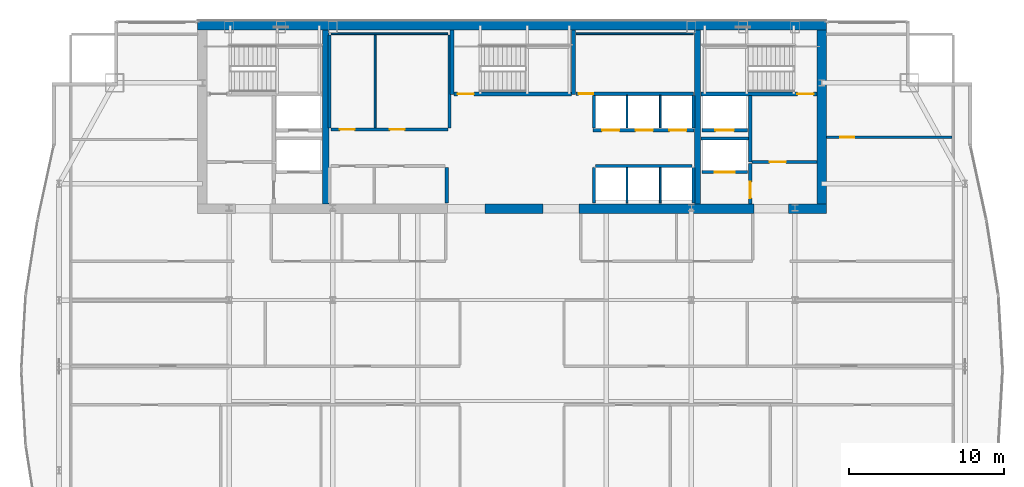
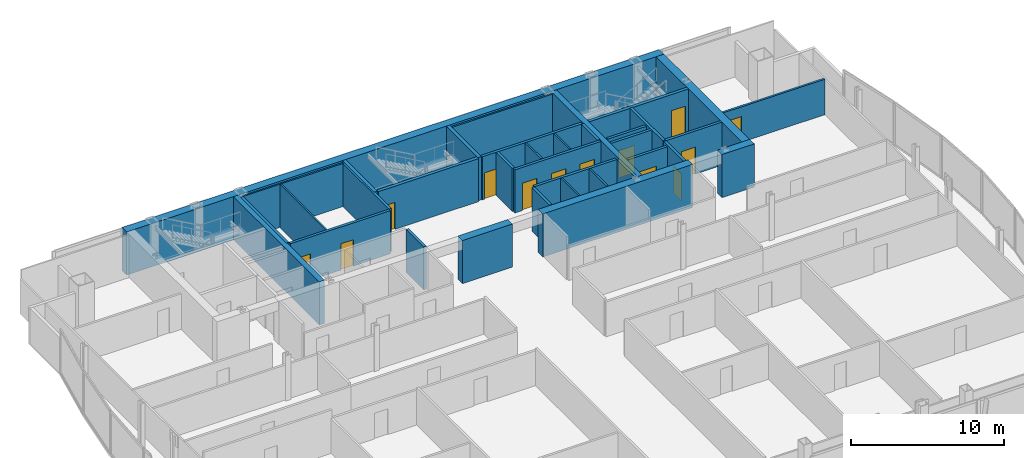
# One storey, part 27 of 30: 36 walls, 13 doors, 13 openings.
"""IFC4 building model written with IfcOpenShell, lengths in metres."""

from ifc_helpers import new_model, si_unit, direction, frame, frame_2d, origin, place, context, subcontext, project, spatial, rectangle, extrude, material, layer, layer_set, type_object, element, fill, save


model = new_model("IFC4")

# Units and contexts
model_context = context("Model", 3, precision=1e-05, world=origin(), true_north=direction((0.0, 1.0)))
body_context = subcontext(model_context, "Body", "Model", "MODEL_VIEW")
ifc_project = project(units=[si_unit("LENGTHUNIT", "METRE"), si_unit("AREAUNIT", "SQUARE_METRE"), si_unit("VOLUMEUNIT", "CUBIC_METRE"), si_unit("PLANEANGLEUNIT", "RADIAN"), si_unit("MASSUNIT", "GRAM", prefix="KILO")], contexts=[model_context])

# Site, building, storey
site_placement = place(None, origin())
site = spatial("IfcSite", under=ifc_project, at=site_placement, CompositionType="ELEMENT")
building_placement = place(site_placement, origin())
building = spatial("IfcBuilding", under=site, at=building_placement, Name="Khoronbel Lancet Exchange", CompositionType="ELEMENT")
storey_placement = place(building_placement, frame((0.0, 0.0, 217.39990234375)))
storey = spatial("IfcBuildingStorey", under=building, at=storey_placement, Name="L55", CompositionType="ELEMENT", Elevation=217.39990234375)

# Walls
ifc_material_1 = material(Name="Concrete C60/75", Category="concrete")
ifc_layer_1 = layer(ifc_material_1, 0.60009765625, Name="Concrete C60/75")
ifc_layer_set_1 = layer_set([ifc_layer_1], Name="Concrete C60/75")
wall_type_1 = type_object("IfcWallType", Name="WL-CW3", PredefinedType="SHEAR", material=ifc_layer_set_1)
wall_1_placement = place(storey_placement, frame((16.199951171875, 53.39990234375, 0.0), z_axis=(0.0, 0.0, 1.0), x_axis=(1.0, 0.0, 0.0)))
element("IfcWall", 1, at=wall_1_placement, inside=storey, type_object=wall_type_1, Name="Level L55 rear core north shear wall", PredefinedType="SHEAR", context=body_context, shape_type="SweptSolid", body=[
    extrude(rectangle(XDim=40.5, YDim=0.60009765625, at=frame_2d((20.25, 0.0))), origin(), (0.0, 0.0, 1.0), 3.440185546875),
])
wall_2_placement = place(storey_placement, frame((56.39990234375, 53.10009765625, 0.0), z_axis=(0.0, 0.0, 1.0), x_axis=(0.0, -1.0, 0.0)))
element("IfcWall", 2, at=wall_2_placement, inside=storey, type_object=wall_type_1, Name="Level L55 rear core east shear wall", PredefinedType="SHEAR", context=body_context, shape_type="SweptSolid", body=[
    extrude(rectangle(XDim=11.2001953125, YDim=0.60009765625, at=frame_2d((5.60009765625, 0.0))), origin(), (0.0, 0.0, 1.0), 3.440185546875),
])
wall_3_placement = place(storey_placement, frame((38.449951171875, 41.60009765625, 0.0), z_axis=(0.0, 0.0, 1.0), x_axis=(-1.0, 0.0, 0.0)))
element("IfcWall", 3, at=wall_3_placement, inside=storey, type_object=wall_type_1, Name="Level L55 rear core south shear wall pier P3", PredefinedType="SHEAR", context=body_context, shape_type="SweptSolid", body=[
    extrude(rectangle(XDim=3.75, YDim=0.60009765625, at=frame_2d((1.875, 0.0))), origin(), (0.0, 0.0, 1.0), 3.440185546875),
])
wall_4_placement = place(storey_placement, frame((52.050048828125, 41.60009765625, 0.0), z_axis=(0.0, 0.0, 1.0), x_axis=(-1.0, 0.0, 0.0)))
element("IfcWall", 4, at=wall_4_placement, inside=storey, type_object=wall_type_1, Name="Level L55 rear core south shear wall pier P4", PredefinedType="SHEAR", context=body_context, shape_type="SweptSolid", body=[
    extrude(rectangle(XDim=11.300048828125, YDim=0.60009765625, at=frame_2d((5.64990234375, 0.0))), origin(), (0.0, 0.0, 1.0), 3.440185546875),
])
wall_5_placement = place(storey_placement, frame((56.699951171875, 41.60009765625, 0.0), z_axis=(0.0, 0.0, 1.0), x_axis=(-1.0, 0.0, 0.0)))
element("IfcWall", 5, at=wall_5_placement, inside=storey, type_object=wall_type_1, Name="Level L55 rear core south shear wall pier P5", PredefinedType="SHEAR", context=body_context, shape_type="SweptSolid", body=[
    extrude(rectangle(XDim=2.449951171875, YDim=0.60009765625, at=frame_2d((1.22509765625, 0.0))), origin(), (0.0, 0.0, 1.0), 3.440185546875),
])

# Wall, opening, door
ifc_material_2 = material(Name="Acoustic Metal-Stud & Mineral-Wool Gypsum Partition 120 mm", Category="gypsum")
ifc_layer_2 = layer(ifc_material_2, 0.1201171875, Name="Acoustic Metal-Stud & Mineral-Wool Gypsum Partition 120 mm")
ifc_layer_set_2 = layer_set([ifc_layer_2], Name="Acoustic Metal-Stud & Mineral-Wool Gypsum Partition 120 mm")
wall_type_2 = type_object("IfcWallType", Name="WL-PRT120", PredefinedType="PARTITIONING", material=ifc_layer_set_2)
wall_6_placement = place(storey_placement, frame((56.699951171875, 46.199951171875, 0.0), z_axis=(0.0, 0.0, 1.0), x_axis=(1.0, 0.0, 0.0)))
wall_6 = element("IfcWall", 6, at=wall_6_placement, inside=storey, type_object=wall_type_2, Name="Level L55 interior partition PW-NE-H", PredefinedType="PARTITIONING", context=body_context, shape_type="SweptSolid", body=[
    extrude(rectangle(XDim=8.10498046875, YDim=0.14990234375, at=frame_2d((4.052490234375, 0.0))), origin(), (0.0, 0.0, 1.0), 2.830078125),
])
opening_1_placement = place(wall_6_placement, frame((0.89990234375, 0.0, 0.0)))
opening_1 = element("IfcOpeningElement", 7, at=opening_1_placement, cuts=wall_6, Name="Opening D5", PredefinedType="OPENING", context=body_context, shape_type="SweptSolid", body=[
    extrude(rectangle(XDim=0.89990234375, YDim=2.050048828125, at=frame_2d((0.449951171875, 1.02490234375))), frame((0.0, 0.0849609375, 0.0), z_axis=(0.0, -1.0, 0.0), x_axis=(1.0, 0.0, 0.0)), (0.0, 0.0, 1.0), 0.169921875),
])
ifc_material_3 = material(Name="Acoustic Timber Pantry & Support Door", Category="wood")
door_type_1 = type_object("IfcDoorType", Name="DR-D5", OperationType="NOTDEFINED", PredefinedType="DOOR", material=ifc_material_3)
door_1_placement = place(opening_1_placement, origin())
door_1 = element("IfcDoor", 8, at=door_1_placement, inside=storey, type_object=door_type_1, Name="NE north room door L55-1", OperationType="SINGLE_SWING_RIGHT", OverallHeight=2.050048828125, OverallWidth=0.89990234375, PredefinedType="DOOR", context=body_context, shape_type="SweptSolid", body=[
    extrude(rectangle(XDim=0.89990234375, YDim=2.050048828125, at=frame_2d((0.449951171875, 1.02490234375))), frame((0.0, 0.02490234375, 0.0), z_axis=(0.0, -1.0, 0.0), x_axis=(1.0, 0.0, 0.0)), (0.0, 0.0, 1.0), 0.050048828125),
])
fill(opening_1, door_1)

# Walls
ifc_material_4 = material(Name="Fire-Rated Metal-Stud & Mineral-Wool Gypsum Partition 120 mm", Category="gypsum")
ifc_layer_3 = layer(ifc_material_4, 0.1201171875, Name="Fire-Rated Metal-Stud & Mineral-Wool Gypsum Partition 120 mm")
ifc_layer_set_3 = layer_set([ifc_layer_3], Name="Fire-Rated Metal-Stud & Mineral-Wool Gypsum Partition 120 mm")
wall_type_3 = type_object("IfcWallType", Name="WL-PRT120F", PredefinedType="PARTITIONING", material=ifc_layer_set_3)
wall_7_placement = place(storey_placement, frame((24.804931640625, 52.860107421875, 0.0), z_axis=(0.0, 0.0, 1.0), x_axis=(1.0, 0.0, 0.0)))
element("IfcWall", 9, at=wall_7_placement, inside=storey, type_object=wall_type_3, Name="Level L55 interior partition CW-PL-RN", PredefinedType="PARTITIONING", context=body_context, shape_type="SweptSolid", body=[
    extrude(rectangle(XDim=7.510009765625, YDim=0.1201171875, at=frame_2d((3.7548828125, 0.0))), origin(), (0.0, 0.0, 1.0), 3.440185546875),
])
wall_8_placement = place(storey_placement, frame((27.633544921875, 46.804931640625, 0.0), z_axis=(0.0, 0.0, 1.0), x_axis=(0.0, 1.0, 0.0)))
element("IfcWall", 10, at=wall_8_placement, inside=storey, type_object=wall_type_3, Name="Level L55 interior partition CW-PL-RS1", PredefinedType="PARTITIONING", context=body_context, shape_type="SweptSolid", body=[
    extrude(rectangle(XDim=5.989990234375, YDim=0.1201171875, at=frame_2d((2.9951171875, 0.0))), origin(), (0.0, 0.0, 1.0), 3.440185546875),
])
for number, where, z_axis, x_axis, name in (
    (11, (43.860107421875, 46.800048828125, 0.0), (0.0, 0.0, 1.0), (0.0, 1.0, 0.0), "Level L55 interior partition CW-PH-D1"),
    (12, (46.0, 46.800048828125, 0.0), (0.0, 0.0, 1.0), (0.0, 1.0, 0.0), "Level L55 interior partition CW-PH-D2"),
):
    element("IfcWall", number, at=place(storey_placement, frame(where, z_axis=z_axis, x_axis=x_axis)), inside=storey, type_object=wall_type_3, Name=name, PredefinedType="PARTITIONING", context=body_context, shape_type="SweptSolid", body=[
        extrude(rectangle(XDim=2.094970703125, YDim=0.1201171875, at=frame_2d((1.04736328125, 0.0))), origin(), (0.0, 0.0, 1.0), 3.440185546875),
    ])
for number, where, z_axis, x_axis, name in (
    (13, (43.860107421875, 41.949951171875, 0.0), (0.0, 0.0, 1.0), (0.0, 1.0, 0.0), "Level L55 interior partition CW-PX-D1"),
    (14, (46.0, 41.949951171875, 0.0), (0.0, 0.0, 1.0), (0.0, 1.0, 0.0), "Level L55 interior partition CW-PX-D2"),
):
    element("IfcWall", number, at=place(storey_placement, frame(where, z_axis=z_axis, x_axis=x_axis)), inside=storey, type_object=wall_type_3, Name=name, PredefinedType="PARTITIONING", context=body_context, shape_type="SweptSolid", body=[
        extrude(rectangle(XDim=2.295166015625, YDim=0.1201171875, at=frame_2d((1.1474609375, 0.0))), origin(), (0.0, 0.0, 1.0), 3.440185546875),
    ])
wall_9_placement = place(storey_placement, frame((40.580078125, 52.860107421875, 0.0), z_axis=(0.0, 0.0, 1.0), x_axis=(1.0, 0.0, 0.0)))
element("IfcWall", 15, at=wall_9_placement, inside=storey, type_object=wall_type_3, Name="Level L55 interior partition CW-SUP-NE-N", PredefinedType="PARTITIONING", context=body_context, shape_type="SweptSolid", body=[
    extrude(rectangle(XDim=7.559814453125, YDim=0.1201171875, at=frame_2d((3.77978515625, 0.0))), origin(), (0.0, 0.0, 1.0), 3.440185546875),
])

# Wall, opening, door
ifc_material_5 = material(Name="Autoclaved Aerated Concrete Blockwork 200 mm", Category="masonry")
ifc_layer_4 = layer(ifc_material_5, 0.199951171875, Name="Autoclaved Aerated Concrete Blockwork 200 mm")
ifc_layer_set_4 = layer_set([ifc_layer_4], Name="Autoclaved Aerated Concrete Blockwork 200 mm")
wall_type_4 = type_object("IfcWallType", Name="WL-PRT200", PredefinedType="PARTITIONING", material=ifc_layer_set_4)
wall_10_placement = place(storey_placement, frame((51.610107421875, 43.949951171875, 0.0), z_axis=(0.0, 0.0, 1.0), x_axis=(-1.0, 0.0, 0.0)))
wall_10 = element("IfcWall", 16, at=wall_10_placement, inside=storey, type_object=wall_type_4, Name="Level L55 elevator hoistway landing front wall SVLE", PredefinedType="PARTITIONING", context=body_context, shape_type="SweptSolid", body=[
    extrude(rectangle(XDim=2.920166015625, YDim=0.199951171875, at=frame_2d((1.4599609375, 0.0))), origin(), (0.0, 0.0, 1.0), 3.440185546875),
])
opening_2_placement = place(wall_10_placement, frame((0.81005859375, 0.0, 0.0)))
opening_2 = element("IfcOpeningElement", 17, at=opening_2_placement, cuts=wall_10, Name="Opening LD-SVL2", PredefinedType="OPENING", context=body_context, shape_type="SweptSolid", body=[
    extrude(rectangle(XDim=1.300048828125, YDim=2.179931640625, at=frame_2d((0.64990234375, 1.08984375))), frame((0.0, 0.10986328125, 0.0), z_axis=(0.0, -1.0, 0.0), x_axis=(1.0, 0.0, 0.0)), (0.0, 0.0, 1.0), 0.219970703125),
])
ifc_material_6 = material(Name="Heavy-Duty Bi-Parting Goods Lift Landing Door", Category="steel")
door_type_2 = type_object("IfcDoorType", Name="DR-LD-SVL", OperationType="NOTDEFINED", PredefinedType="DOOR", material=ifc_material_6)
door_2_placement = place(opening_2_placement, origin())
door_2 = element("IfcDoor", 18, at=door_2_placement, inside=storey, type_object=door_type_2, Name="Elevator landing sliding door LD-SVL2 L55", OperationType="SLIDING_TO_LEFT", OverallHeight=2.179931640625, OverallWidth=1.300048828125, PredefinedType="DOOR", context=body_context, shape_type="SweptSolid", body=[
    extrude(rectangle(XDim=1.300048828125, YDim=2.179931640625, at=frame_2d((0.64990234375, 1.08984375))), frame((0.0, 0.02490234375, 0.0), z_axis=(0.0, -1.0, 0.0), x_axis=(1.0, 0.0, 0.0)), (0.0, 0.0, 1.0), 0.050048828125),
])
fill(opening_2, door_2)

wall_11_placement = place(storey_placement, frame((51.610107421875, 46.64990234375, 0.0), z_axis=(0.0, 0.0, 1.0), x_axis=(-1.0, 0.0, 0.0)))
wall_11 = element("IfcWall", 19, at=wall_11_placement, inside=storey, type_object=wall_type_4, Name="Level L55 elevator hoistway landing front wall FFLE", PredefinedType="PARTITIONING", context=body_context, shape_type="SweptSolid", body=[
    extrude(rectangle(XDim=2.920166015625, YDim=0.199951171875, at=frame_2d((1.4599609375, 0.0))), origin(), (0.0, 0.0, 1.0), 3.440185546875),
])
opening_3_placement = place(wall_11_placement, frame((0.860107421875, 0.0, 0.0)))
opening_3 = element("IfcOpeningElement", 20, at=opening_3_placement, cuts=wall_11, Name="Opening LD-FFL2", PredefinedType="OPENING", context=body_context, shape_type="SweptSolid", body=[
    extrude(rectangle(XDim=1.199951171875, YDim=2.179931640625, at=frame_2d((0.60009765625, 1.08984375))), frame((0.0, 0.10986328125, 0.0), z_axis=(0.0, -1.0, 0.0), x_axis=(1.0, 0.0, 0.0)), (0.0, 0.0, 1.0), 0.219970703125),
])
ifc_material_7 = material(Name="Fire-Rated Stainless Bi-Parting Firefighting Lift Door", Category="steel")
door_type_3 = type_object("IfcDoorType", Name="DR-LD-FFL", OperationType="NOTDEFINED", PredefinedType="DOOR", material=ifc_material_7)
door_3_placement = place(opening_3_placement, origin())
door_3 = element("IfcDoor", 21, at=door_3_placement, inside=storey, type_object=door_type_3, Name="Elevator landing sliding door LD-FFL2 L55", OperationType="SLIDING_TO_LEFT", OverallHeight=2.179931640625, OverallWidth=1.199951171875, PredefinedType="DOOR", context=body_context, shape_type="SweptSolid", body=[
    extrude(rectangle(XDim=1.199951171875, YDim=2.179931640625, at=frame_2d((0.60009765625, 1.08984375))), frame((0.0, 0.02490234375, 0.0), z_axis=(0.0, -1.0, 0.0), x_axis=(1.0, 0.0, 0.0)), (0.0, 0.0, 1.0), 0.050048828125),
])
fill(opening_3, door_3)

# Wall, openings, doors
wall_12_placement = place(storey_placement, frame((48.159912109375, 46.64990234375, 0.0), z_axis=(0.0, 0.0, 1.0), x_axis=(-1.0, 0.0, 0.0)))
wall_12 = element("IfcWall", 22, at=wall_12_placement, inside=storey, type_object=wall_type_4, Name="Level L55 elevator hoistway landing front wall PHE", PredefinedType="PARTITIONING", context=body_context, shape_type="SweptSolid", body=[
    extrude(rectangle(XDim=6.47998046875, YDim=0.199951171875, at=frame_2d((3.239990234375, 0.0))), origin(), (0.0, 0.0, 1.0), 3.440185546875),
])
opening_4_placement = place(wall_12_placement, frame((4.800048828125, 0.0, 0.0)))
opening_4 = element("IfcOpeningElement", 23, at=opening_4_placement, cuts=wall_12, Name="Opening LD-PH1", PredefinedType="OPENING", context=body_context, shape_type="SweptSolid", body=[
    extrude(rectangle(XDim=1.10009765625, YDim=2.179931640625, at=frame_2d((0.550048828125, 1.08984375))), frame((0.0, 0.10986328125, 0.0), z_axis=(0.0, -1.0, 0.0), x_axis=(1.0, 0.0, 0.0)), (0.0, 0.0, 1.0), 0.219970703125),
])
opening_5_placement = place(wall_12_placement, frame((2.639892578125, 0.0, 0.0)))
opening_5 = element("IfcOpeningElement", 24, at=opening_5_placement, cuts=wall_12, Name="Opening LD-PH2", PredefinedType="OPENING", context=body_context, shape_type="SweptSolid", body=[
    extrude(rectangle(XDim=1.10009765625, YDim=2.179931640625, at=frame_2d((0.550048828125, 1.08984375))), frame((0.0, 0.10986328125, 0.0), z_axis=(0.0, -1.0, 0.0), x_axis=(1.0, 0.0, 0.0)), (0.0, 0.0, 1.0), 0.219970703125),
])
opening_6_placement = place(wall_12_placement, frame((0.47998046875, 0.0, 0.0)))
opening_6 = element("IfcOpeningElement", 25, at=opening_6_placement, cuts=wall_12, Name="Opening LD-PH3", PredefinedType="OPENING", context=body_context, shape_type="SweptSolid", body=[
    extrude(rectangle(XDim=1.10009765625, YDim=2.179931640625, at=frame_2d((0.550048828125, 1.08984375))), frame((0.0, 0.10986328125, 0.0), z_axis=(0.0, -1.0, 0.0), x_axis=(1.0, 0.0, 0.0)), (0.0, 0.0, 1.0), 0.219970703125),
])
ifc_material_8 = material(Name="Brushed Bronze Bi-Parting Elevator Landing Door", Category="steel")
door_type_4 = type_object("IfcDoorType", Name="DR-LD-PAX", OperationType="NOTDEFINED", PredefinedType="DOOR", material=ifc_material_8)
door_4_placement = place(opening_4_placement, origin())
door_4 = element("IfcDoor", 26, at=door_4_placement, inside=storey, type_object=door_type_4, Name="Elevator landing sliding door LD-PH1 L55", OperationType="SLIDING_TO_LEFT", OverallHeight=2.179931640625, OverallWidth=1.10009765625, PredefinedType="DOOR", context=body_context, shape_type="SweptSolid", body=[
    extrude(rectangle(XDim=1.10009765625, YDim=2.179931640625, at=frame_2d((0.550048828125, 1.08984375))), frame((0.0, 0.02490234375, 0.0), z_axis=(0.0, -1.0, 0.0), x_axis=(1.0, 0.0, 0.0)), (0.0, 0.0, 1.0), 0.050048828125),
])
fill(opening_4, door_4)
door_5_placement = place(opening_5_placement, origin())
door_5 = element("IfcDoor", 27, at=door_5_placement, inside=storey, type_object=door_type_4, Name="Elevator landing sliding door LD-PH2 L55", OperationType="SLIDING_TO_LEFT", OverallHeight=2.179931640625, OverallWidth=1.10009765625, PredefinedType="DOOR", context=body_context, shape_type="SweptSolid", body=[
    extrude(rectangle(XDim=1.10009765625, YDim=2.179931640625, at=frame_2d((0.550048828125, 1.08984375))), frame((0.0, 0.02490234375, 0.0), z_axis=(0.0, -1.0, 0.0), x_axis=(1.0, 0.0, 0.0)), (0.0, 0.0, 1.0), 0.050048828125),
])
fill(opening_5, door_5)
door_6_placement = place(opening_6_placement, origin())
door_6 = element("IfcDoor", 28, at=door_6_placement, inside=storey, type_object=door_type_4, Name="Elevator landing sliding door LD-PH3 L55", OperationType="SLIDING_TO_LEFT", OverallHeight=2.179931640625, OverallWidth=1.10009765625, PredefinedType="DOOR", context=body_context, shape_type="SweptSolid", body=[
    extrude(rectangle(XDim=1.10009765625, YDim=2.179931640625, at=frame_2d((0.550048828125, 1.08984375))), frame((0.0, 0.02490234375, 0.0), z_axis=(0.0, -1.0, 0.0), x_axis=(1.0, 0.0, 0.0)), (0.0, 0.0, 1.0), 0.050048828125),
])
fill(opening_6, door_6)

# Wall
wall_13_placement = place(storey_placement, frame((51.800048828125, 44.60009765625, 0.0), z_axis=(0.0, 0.0, 1.0), x_axis=(0.0, 1.0, 0.0)))
element("IfcWall", 29, at=wall_13_placement, inside=storey, type_object=wall_type_4, Name="Level L55 interior partition CW-FFLE-W", PredefinedType="PARTITIONING", context=body_context, shape_type="SweptSolid", body=[
    extrude(rectangle(XDim=4.2998046875, YDim=0.199951171875, at=frame_2d((2.14990234375, 0.0))), origin(), (0.0, 0.0, 1.0), 3.440185546875),
])

# Wall, opening, door
wall_14_placement = place(storey_placement, frame((51.89990234375, 44.60009765625, 0.0), z_axis=(0.0, 0.0, 1.0), x_axis=(1.0, 0.0, 0.0)))
wall_14 = element("IfcWall", 30, at=wall_14_placement, inside=storey, type_object=wall_type_4, Name="Level L55 interior partition CW-FFLE-S", PredefinedType="PARTITIONING", context=body_context, shape_type="SweptSolid", body=[
    extrude(rectangle(XDim=4.2001953125, YDim=0.199951171875, at=frame_2d((2.10009765625, 0.0))), origin(), (0.0, 0.0, 1.0), 3.440185546875),
])
opening_7_placement = place(wall_14_placement, frame((1.14990234375, 0.0, 0.0)))
opening_7 = element("IfcOpeningElement", 31, at=opening_7_placement, cuts=wall_14, Name="Opening FD1", PredefinedType="OPENING", context=body_context, shape_type="SweptSolid", body=[
    extrude(rectangle(XDim=1.050048828125, YDim=2.14990234375, at=frame_2d((0.52490234375, 1.074951171875))), frame((0.0, 0.10986328125, 0.0), z_axis=(0.0, -1.0, 0.0), x_axis=(1.0, 0.0, 0.0)), (0.0, 0.0, 1.0), 0.219970703125),
])
ifc_material_9 = material(Name="Fire-Rated Painted Steel Door Assembly", Category="steel")
door_type_5 = type_object("IfcDoorType", Name="DR-FD1", OperationType="NOTDEFINED", PredefinedType="DOOR", material=ifc_material_9)
door_7_placement = place(opening_7_placement, origin())
door_7 = element("IfcDoor", 32, at=door_7_placement, inside=storey, type_object=door_type_5, Name="East firefighting lobby FD90S door L55-1", OperationType="SINGLE_SWING_LEFT", OverallHeight=2.14990234375, OverallWidth=1.050048828125, PredefinedType="DOOR", context=body_context, shape_type="SweptSolid", body=[
    extrude(rectangle(XDim=1.050048828125, YDim=2.14990234375, at=frame_2d((0.52490234375, 1.074951171875))), frame((0.0, 0.02490234375, 0.0), z_axis=(0.0, -1.0, 0.0), x_axis=(1.0, 0.0, 0.0)), (0.0, 0.0, 1.0), 0.050048828125),
])
fill(opening_7, door_7)

# Wall
wall_15_placement = place(storey_placement, frame((48.6298828125, 46.1201171875, 0.0), z_axis=(0.0, 0.0, 1.0), x_axis=(1.0, 0.0, 0.0)))
element("IfcWall", 33, at=wall_15_placement, inside=storey, type_object=wall_type_4, Name="Level L55 interior partition CW-FFL2-S", PredefinedType="PARTITIONING", context=body_context, shape_type="SweptSolid", body=[
    extrude(rectangle(XDim=3.070068359375, YDim=0.199951171875, at=frame_2d((1.53515625, 0.0))), origin(), (0.0, 0.0, 1.0), 3.440185546875),
])

# Wall, opening, door
wall_16_placement = place(storey_placement, frame((51.800048828125, 41.89990234375, 0.0), z_axis=(0.0, 0.0, 1.0), x_axis=(0.0, 1.0, 0.0)))
wall_16 = element("IfcWall", 34, at=wall_16_placement, inside=storey, type_object=wall_type_4, Name="Level L55 interior partition CW-SVLE-E", PredefinedType="PARTITIONING", context=body_context, shape_type="SweptSolid", body=[
    extrude(rectangle(XDim=2.59521484375, YDim=0.199951171875, at=frame_2d((1.297607421875, 0.0))), origin(), (0.0, 0.0, 1.0), 3.440185546875),
])
opening_8_placement = place(wall_16_placement, frame((0.3798828125, 0.0, 0.0)))
opening_8 = element("IfcOpeningElement", 35, at=opening_8_placement, cuts=wall_16, Name="Opening FD1", PredefinedType="OPENING", context=body_context, shape_type="SweptSolid", body=[
    extrude(rectangle(XDim=1.050048828125, YDim=2.14990234375, at=frame_2d((0.52490234375, 1.074951171875))), frame((0.0, 0.10986328125, 0.0), z_axis=(0.0, -1.0, 0.0), x_axis=(1.0, 0.0, 0.0)), (0.0, 0.0, 1.0), 0.219970703125),
])
door_8_placement = place(opening_8_placement, origin())
door_8 = element("IfcDoor", 36, at=door_8_placement, inside=storey, type_object=door_type_5, Name="East service lift lobby door L55-1", OperationType="SINGLE_SWING_RIGHT", OverallHeight=2.14990234375, OverallWidth=1.050048828125, PredefinedType="DOOR", context=body_context, shape_type="SweptSolid", body=[
    extrude(rectangle(XDim=1.050048828125, YDim=2.14990234375, at=frame_2d((0.52490234375, 1.074951171875))), frame((0.0, 0.02490234375, 0.0), z_axis=(0.0, -1.0, 0.0), x_axis=(1.0, 0.0, 0.0)), (0.0, 0.0, 1.0), 0.050048828125),
])
fill(opening_8, door_8)

# Walls
for number, where, z_axis, x_axis, name in (
    (37, (24.699951171875, 46.804931640625, 0.0), (0.0, 0.0, 1.0), (0.0, 1.0, 0.0), "Level L55 interior partition CW-PL-RW"),
    (38, (32.419921875, 46.804931640625, 0.0), (0.0, 0.0, 1.0), (0.0, 1.0, 0.0), "Level L55 interior partition CW-PL-RE"),
):
    element("IfcWall", number, at=place(storey_placement, frame(where, z_axis=z_axis, x_axis=x_axis)), inside=storey, type_object=wall_type_4, Name=name, PredefinedType="PARTITIONING", context=body_context, shape_type="SweptSolid", body=[
        extrude(rectangle(XDim=5.989990234375, YDim=0.199951171875, at=frame_2d((2.9951171875, 0.0))), origin(), (0.0, 0.0, 1.0), 3.440185546875),
    ])

# Wall, openings, doors
wall_17_placement = place(storey_placement, frame((24.804931640625, 46.699951171875, 0.0), z_axis=(0.0, 0.0, 1.0), x_axis=(1.0, 0.0, 0.0)))
wall_17 = element("IfcWall", 39, at=wall_17_placement, inside=storey, type_object=wall_type_4, Name="Level L55 interior partition CW-PL-RF", PredefinedType="PARTITIONING", context=body_context, shape_type="SweptSolid", body=[
    extrude(rectangle(XDim=7.510009765625, YDim=0.199951171875, at=frame_2d((3.7548828125, 0.0))), origin(), (0.0, 0.0, 1.0), 3.440185546875),
])
opening_9_placement = place(wall_17_placement, frame((0.550048828125, 0.0, 0.0)))
opening_9 = element("IfcOpeningElement", 40, at=opening_9_placement, cuts=wall_17, Name="Opening FD3", PredefinedType="OPENING", context=body_context, shape_type="SweptSolid", body=[
    extrude(rectangle(XDim=0.949951171875, YDim=2.10009765625, at=frame_2d((0.47509765625, 1.050048828125))), frame((0.0, 0.10986328125, 0.0), z_axis=(0.0, -1.0, 0.0), x_axis=(1.0, 0.0, 0.0)), (0.0, 0.0, 1.0), 0.219970703125),
])
opening_10_placement = place(wall_17_placement, frame((3.78369140625, 0.0, 0.0)))
opening_10 = element("IfcOpeningElement", 41, at=opening_10_placement, cuts=wall_17, Name="Opening FD3", PredefinedType="OPENING", context=body_context, shape_type="SweptSolid", body=[
    extrude(rectangle(XDim=0.949951171875, YDim=2.10009765625, at=frame_2d((0.47509765625, 1.050048828125))), frame((0.0, 0.10986328125, 0.0), z_axis=(0.0, -1.0, 0.0), x_axis=(1.0, 0.0, 0.0)), (0.0, 0.0, 1.0), 0.219970703125),
])
ifc_material_10 = material(Name="Fire-Rated Steel Plant & Riser Door Assembly", Category="steel")
door_type_6 = type_object("IfcDoorType", Name="DR-FD3", OperationType="NOTDEFINED", PredefinedType="DOOR", material=ifc_material_10)
door_9_placement = place(opening_9_placement, origin())
door_9 = element("IfcDoor", 42, at=door_9_placement, inside=storey, type_object=door_type_6, Name="Reclaimed PL A door L55-1", OperationType="SINGLE_SWING_LEFT", OverallHeight=2.10009765625, OverallWidth=0.949951171875, PredefinedType="DOOR", context=body_context, shape_type="SweptSolid", body=[
    extrude(rectangle(XDim=0.949951171875, YDim=2.10009765625, at=frame_2d((0.47509765625, 1.050048828125))), frame((0.0, 0.02490234375, 0.0), z_axis=(0.0, -1.0, 0.0), x_axis=(1.0, 0.0, 0.0)), (0.0, 0.0, 1.0), 0.050048828125),
])
fill(opening_9, door_9)
door_10_placement = place(opening_10_placement, origin())
door_10 = element("IfcDoor", 43, at=door_10_placement, inside=storey, type_object=door_type_6, Name="Reclaimed PL B door L55-2", OperationType="SINGLE_SWING_RIGHT", OverallHeight=2.10009765625, OverallWidth=0.949951171875, PredefinedType="DOOR", context=body_context, shape_type="SweptSolid", body=[
    extrude(rectangle(XDim=0.949951171875, YDim=2.10009765625, at=frame_2d((0.47509765625, 1.050048828125))), frame((0.0, 0.02490234375, 0.0), z_axis=(0.0, -1.0, 0.0), x_axis=(1.0, 0.0, 0.0)), (0.0, 0.0, 1.0), 0.050048828125),
])
fill(opening_10, door_10)

# Walls
wall_18_placement = place(storey_placement, frame((32.25, 41.949951171875, 0.0), z_axis=(0.0, 0.0, 1.0), x_axis=(0.0, 1.0, 0.0)))
element("IfcWall", 44, at=wall_18_placement, inside=storey, type_object=wall_type_4, Name="Level L55 interior partition CW-PM-RE", PredefinedType="PARTITIONING", context=body_context, shape_type="SweptSolid", body=[
    extrude(rectangle(XDim=2.295166015625, YDim=0.199951171875, at=frame_2d((1.1474609375, 0.0))), origin(), (0.0, 0.0, 1.0), 3.440185546875),
])
for number, where, z_axis, x_axis, name in (
    (45, (41.719970703125, 46.800048828125, 0.0), (0.0, 0.0, 1.0), (0.0, 1.0, 0.0), "Level L55 interior partition CW-PH-W"),
    (46, (48.139892578125, 46.800048828125, 0.0), (0.0, 0.0, 1.0), (0.0, 1.0, 0.0), "Level L55 interior partition CW-PH-E"),
):
    element("IfcWall", number, at=place(storey_placement, frame(where, z_axis=z_axis, x_axis=x_axis)), inside=storey, type_object=wall_type_4, Name=name, PredefinedType="PARTITIONING", context=body_context, shape_type="SweptSolid", body=[
        extrude(rectangle(XDim=2.094970703125, YDim=0.199951171875, at=frame_2d((1.04736328125, 0.0))), origin(), (0.0, 0.0, 1.0), 3.440185546875),
    ])
wall_19_placement = place(storey_placement, frame((41.824951171875, 44.35009765625, 0.0), z_axis=(0.0, 0.0, 1.0), x_axis=(1.0, 0.0, 0.0)))
element("IfcWall", 47, at=wall_19_placement, inside=storey, type_object=wall_type_4, Name="Level L55 interior partition CW-PX-EXP", PredefinedType="PARTITIONING", context=body_context, shape_type="SweptSolid", body=[
    extrude(rectangle(XDim=6.2099609375, YDim=0.199951171875, at=frame_2d((3.10498046875, 0.0))), origin(), (0.0, 0.0, 1.0), 3.440185546875),
])
for number, where, z_axis, x_axis, name in (
    (48, (41.719970703125, 41.949951171875, 0.0), (0.0, 0.0, 1.0), (0.0, 1.0, 0.0), "Level L55 interior partition CW-PX-W"),
    (49, (48.139892578125, 41.949951171875, 0.0), (0.0, 0.0, 1.0), (0.0, 1.0, 0.0), "Level L55 interior partition CW-PX-E"),
):
    element("IfcWall", number, at=place(storey_placement, frame(where, z_axis=z_axis, x_axis=x_axis)), inside=storey, type_object=wall_type_4, Name=name, PredefinedType="PARTITIONING", context=body_context, shape_type="SweptSolid", body=[
        extrude(rectangle(XDim=2.295166015625, YDim=0.199951171875, at=frame_2d((1.1474609375, 0.0))), origin(), (0.0, 0.0, 1.0), 3.440185546875),
    ])

# Wall, opening, door
wall_20_placement = place(storey_placement, frame((40.580078125, 49.0, 0.0), z_axis=(0.0, 0.0, 1.0), x_axis=(1.0, 0.0, 0.0)))
wall_20 = element("IfcWall", 50, at=wall_20_placement, inside=storey, type_object=wall_type_4, Name="Level L55 interior partition CW-SUP-NE-S", PredefinedType="PARTITIONING", context=body_context, shape_type="SweptSolid", body=[
    extrude(rectangle(XDim=7.559814453125, YDim=0.199951171875, at=frame_2d((3.77978515625, 0.0))), origin(), (0.0, 0.0, 1.0), 3.440185546875),
])
opening_11_placement = place(wall_20_placement, frame((0.159912109375, 0.0, 0.0)))
opening_11 = element("IfcOpeningElement", 51, at=opening_11_placement, cuts=wall_20, Name="Opening FD3", PredefinedType="OPENING", context=body_context, shape_type="SweptSolid", body=[
    extrude(rectangle(XDim=0.949951171875, YDim=2.10009765625, at=frame_2d((0.47509765625, 1.050048828125))), frame((0.0, 0.10986328125, 0.0), z_axis=(0.0, -1.0, 0.0), x_axis=(1.0, 0.0, 0.0)), (0.0, 0.0, 1.0), 0.219970703125),
])
door_11_placement = place(opening_11_placement, origin())
door_11 = element("IfcDoor", 52, at=door_11_placement, inside=storey, type_object=door_type_6, Name="Core NE support room door L55-1", OperationType="SINGLE_SWING_LEFT", OverallHeight=2.10009765625, OverallWidth=0.949951171875, PredefinedType="DOOR", context=body_context, shape_type="SweptSolid", body=[
    extrude(rectangle(XDim=0.949951171875, YDim=2.10009765625, at=frame_2d((0.47509765625, 1.050048828125))), frame((0.0, 0.02490234375, 0.0), z_axis=(0.0, -1.0, 0.0), x_axis=(1.0, 0.0, 0.0)), (0.0, 0.0, 1.0), 0.050048828125),
])
fill(opening_11, door_11)

# Walls
ifc_layer_5 = layer(ifc_material_1, 0.39990234375, Name="Concrete C60/75")
ifc_layer_set_5 = layer_set([ifc_layer_5], Name="Concrete C60/75")
wall_type_5 = type_object("IfcWallType", Name="WL-SW2", PredefinedType="SHEAR", material=ifc_layer_set_5)
for number, where, z_axis, x_axis, name in (
    (53, (24.449951171875, 41.89990234375, 0.0), (0.0, 0.0, 1.0), (0.0, 1.0, 0.0), "Level L55 rear core internal spine shear wall IW"),
    (54, (48.39990234375, 41.89990234375, 0.0), (0.0, 0.0, 1.0), (0.0, 1.0, 0.0), "Level L55 rear core internal spine shear wall IE"),
):
    element("IfcWall", number, at=place(storey_placement, frame(where, z_axis=z_axis, x_axis=x_axis)), inside=storey, type_object=wall_type_5, Name=name, PredefinedType="SHEAR", context=body_context, shape_type="SweptSolid", body=[
        extrude(rectangle(XDim=11.2001953125, YDim=0.39990234375, at=frame_2d((5.60009765625, 0.0))), origin(), (0.0, 0.0, 1.0), 3.440185546875),
    ])
ifc_layer_6 = layer(ifc_material_1, 0.260009765625, Name="Concrete C60/75")
ifc_layer_set_6 = layer_set([ifc_layer_6], Name="Concrete C60/75")
wall_type_6 = type_object("IfcWallType", Name="WL-SW3", PredefinedType="SHEAR", material=ifc_layer_set_6)
for number, where, z_axis, x_axis, name in (
    (55, (32.580078125, 48.949951171875, 0.0), (0.0, 0.0, 1.0), (0.0, 1.0, 0.0), "Level L55 central stairwell structural shear wall ST3W"),
    (56, (40.419921875, 48.949951171875, 0.0), (0.0, 0.0, 1.0), (0.0, 1.0, 0.0), "Level L55 central stairwell structural shear wall ST3E"),
):
    element("IfcWall", number, at=place(storey_placement, frame(where, z_axis=z_axis, x_axis=x_axis)), inside=storey, type_object=wall_type_6, Name=name, PredefinedType="SHEAR", context=body_context, shape_type="SweptSolid", body=[
        extrude(rectangle(XDim=4.150146484375, YDim=0.260009765625, at=frame_2d((2.0751953125, 0.0))), origin(), (0.0, 0.0, 1.0), 3.440185546875),
    ])

# Wall, opening, door
wall_21_placement = place(storey_placement, frame((48.6298828125, 48.97998046875, 0.0), z_axis=(0.0, 0.0, 1.0), x_axis=(1.0, 0.0, 0.0)))
wall_21 = element("IfcWall", 57, at=wall_21_placement, inside=storey, type_object=wall_type_6, Name="Level L55 east stairwell structural south wall", PredefinedType="SHEAR", context=body_context, shape_type="SweptSolid", body=[
    extrude(rectangle(XDim=7.47021484375, YDim=0.239990234375, at=frame_2d((3.735107421875, 0.0))), origin(), (0.0, 0.0, 1.0), 3.440185546875),
])
opening_12_placement = place(wall_21_placement, frame((6.199951171875, 0.0, 0.0)))
opening_12 = element("IfcOpeningElement", 58, at=opening_12_placement, cuts=wall_21, Name="Opening SD1", PredefinedType="OPENING", context=body_context, shape_type="SweptSolid", body=[
    extrude(rectangle(XDim=1.050048828125, YDim=2.14990234375, at=frame_2d((0.52490234375, 1.074951171875))), frame((0.0, 0.1298828125, 0.0), z_axis=(0.0, -1.0, 0.0), x_axis=(1.0, 0.0, 0.0)), (0.0, 0.0, 1.0), 0.260009765625),
])
ifc_material_11 = material(Name="Fire-Rated Steel Stairwell Door Assembly", Category="steel")
door_type_7 = type_object("IfcDoorType", Name="DR-SD1", OperationType="NOTDEFINED", PredefinedType="DOOR", material=ifc_material_11)
door_12_placement = place(opening_12_placement, origin())
door_12 = element("IfcDoor", 59, at=door_12_placement, inside=storey, type_object=door_type_7, Name="Protected exit stair ST2 door L55", OperationType="SINGLE_SWING_RIGHT", OverallHeight=2.14990234375, OverallWidth=1.050048828125, PredefinedType="DOOR", context=body_context, shape_type="SweptSolid", body=[
    extrude(rectangle(XDim=1.050048828125, YDim=2.14990234375, at=frame_2d((0.52490234375, 1.074951171875))), frame((0.0, 0.02490234375, 0.0), z_axis=(0.0, -1.0, 0.0), x_axis=(1.0, 0.0, 0.0)), (0.0, 0.0, 1.0), 0.050048828125),
])
fill(opening_12, door_12)

wall_22_placement = place(storey_placement, frame((32.719970703125, 48.97998046875, 0.0), z_axis=(0.0, 0.0, 1.0), x_axis=(1.0, 0.0, 0.0)))
wall_22 = element("IfcWall", 60, at=wall_22_placement, inside=storey, type_object=wall_type_6, Name="Level L55 central stairwell structural south wall", PredefinedType="SHEAR", context=body_context, shape_type="SweptSolid", body=[
    extrude(rectangle(XDim=7.56005859375, YDim=0.239990234375, at=frame_2d((3.780029296875, 0.0))), origin(), (0.0, 0.0, 1.0), 3.440185546875),
])
opening_13_placement = place(wall_22_placement, frame((0.219970703125, 0.0, 0.0)))
opening_13 = element("IfcOpeningElement", 61, at=opening_13_placement, cuts=wall_22, Name="Opening SD1", PredefinedType="OPENING", context=body_context, shape_type="SweptSolid", body=[
    extrude(rectangle(XDim=1.050048828125, YDim=2.14990234375, at=frame_2d((0.52490234375, 1.074951171875))), frame((0.0, 0.1298828125, 0.0), z_axis=(0.0, -1.0, 0.0), x_axis=(1.0, 0.0, 0.0)), (0.0, 0.0, 1.0), 0.260009765625),
])
door_13_placement = place(opening_13_placement, origin())
door_13 = element("IfcDoor", 62, at=door_13_placement, inside=storey, type_object=door_type_7, Name="Protected exit stair ST3 door L55", OperationType="SINGLE_SWING_LEFT", OverallHeight=2.14990234375, OverallWidth=1.050048828125, PredefinedType="DOOR", context=body_context, shape_type="SweptSolid", body=[
    extrude(rectangle(XDim=1.050048828125, YDim=2.14990234375, at=frame_2d((0.52490234375, 1.074951171875))), frame((0.0, 0.02490234375, 0.0), z_axis=(0.0, -1.0, 0.0), x_axis=(1.0, 0.0, 0.0)), (0.0, 0.0, 1.0), 0.050048828125),
])
fill(opening_13, door_13)

save(model, "model.ifc")
